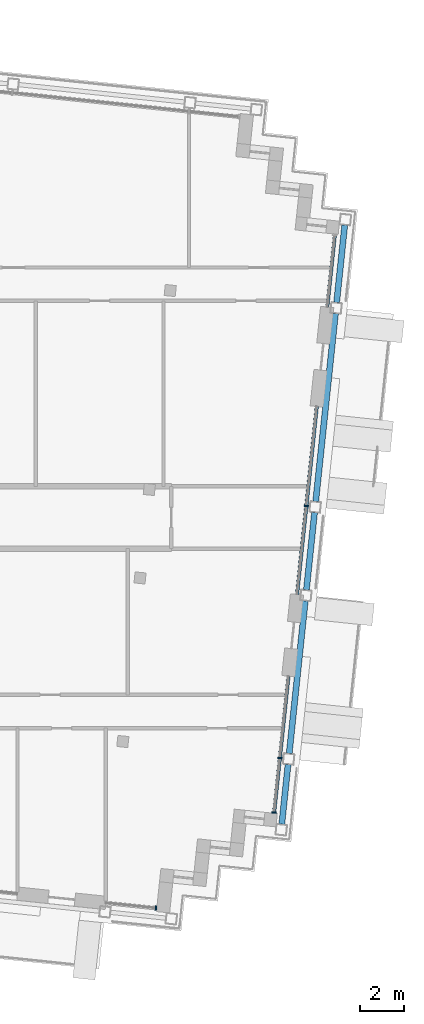
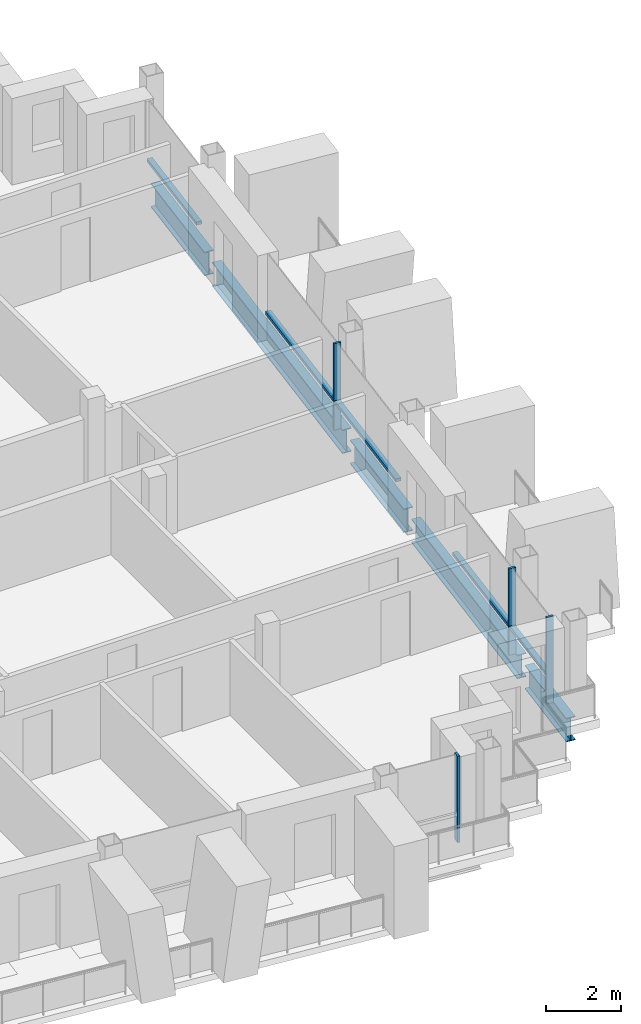
# One storey, part 4 of 16: 9 members, 5 beams, 4 elements without a shape of their own.
"""IFC4 building model written with IfcOpenShell, lengths in metres."""

from ifc_helpers import new_model, si_unit, direction, frame, origin, origin_2d, place, context, subcontext, project, spatial, rectangle, i_section, extrude, material, material_profile, profile_set, type_object, element, aggregate, save


model = new_model("IFC4")

# Units and contexts
model_context = context("Model", 3, precision=1e-05, world=origin(), true_north=direction((0.0, 1.0)))
body_context = subcontext(model_context, "Body", "Model", "MODEL_VIEW")
ifc_project = project(units=[si_unit("LENGTHUNIT", "METRE"), si_unit("AREAUNIT", "SQUARE_METRE"), si_unit("VOLUMEUNIT", "CUBIC_METRE"), si_unit("PLANEANGLEUNIT", "RADIAN"), si_unit("MASSUNIT", "GRAM", prefix="KILO")], contexts=[model_context])

# Site, building, storey
site_placement = place(None, origin())
site = spatial("IfcSite", under=ifc_project, at=site_placement, CompositionType="ELEMENT")
building_placement = place(site_placement, origin())
building = spatial("IfcBuilding", under=site, at=building_placement, Name="Vidyagriha Tower", CompositionType="ELEMENT")
storey_placement = place(building_placement, frame((0.0, 0.0, 278.699951171875)))
storey = spatial("IfcBuildingStorey", under=building, at=storey_placement, Name="L73", CompositionType="ELEMENT", Elevation=278.699951171875)

# Beams
ifc_material_1 = material(Name="Steel ASTM A992 Grade 50", Category="steel")
ifc_material_profile_1 = material_profile(ifc_material_1, i_section(OverallWidth=0.2666015625, OverallDepth=0.76953125, WebThickness=0.015625, FlangeThickness=0.025390625, at=origin_2d()), Name="W30X132")
ifc_profile_set_1 = profile_set([ifc_material_profile_1], Name="Steel ASTM A992 Grade 50")
beam_type = type_object("IfcBeamType", Name="Cantilever edge beam W30X132", PredefinedType="SPANDREL", material=ifc_profile_set_1)
beam_1_placement = place(storey_placement, frame((29.968017578125, -13.79736328125, -0.664794921875), z_axis=(0.104435320588, 0.994531680649, 0.0), x_axis=(-0.994531680649, 0.104435320588, 0.0)))
element("IfcBeam", 1, at=beam_1_placement, inside=storey, type_object=beam_type, Name="st-beam-L73-E13", PredefinedType="SPANDREL", context=body_context, shape_type="SweptSolid", body=[
    extrude(i_section(OverallWidth=0.2666015625, OverallDepth=0.76953125, WebThickness=0.015625, FlangeThickness=0.025390625, at=origin_2d()), origin(), (0.0, 0.0, 1.0), 2.699951171875),
])
beam_2_placement = place(storey_placement, frame((30.30224609375, -10.61474609375, -0.664794921875), z_axis=(0.104557694553, 0.994518822602, 0.0), x_axis=(-0.994518822602, 0.104557694553, 0.0)))
element("IfcBeam", 2, at=beam_2_placement, inside=storey, type_object=beam_type, Name="st-beam-L73-E14", PredefinedType="SPANDREL", context=body_context, shape_type="SweptSolid", body=[
    extrude(i_section(OverallWidth=0.2666015625, OverallDepth=0.76953125, WebThickness=0.015625, FlangeThickness=0.025390625, at=origin_2d()), origin(), (0.0, 0.0, 1.0), 6.89990234375),
])
beam_3_placement = place(storey_placement, frame((31.075927734375, -3.25537109375, -0.664794921875), z_axis=(0.104495960989, 0.994525310958, 0.0), x_axis=(-0.994525310958, 0.104495960989, 0.0)))
element("IfcBeam", 3, at=beam_3_placement, inside=storey, type_object=beam_type, Name="st-beam-L73-E15", PredefinedType="SPANDREL", context=body_context, shape_type="SweptSolid", body=[
    extrude(i_section(OverallWidth=0.2666015625, OverallDepth=0.76953125, WebThickness=0.015625, FlangeThickness=0.025390625, at=origin_2d()), origin(), (0.0, 0.0, 1.0), 3.499755859375),
])
beam_4_placement = place(storey_placement, frame((31.493896484375, 0.72265625, -0.664794921875), z_axis=(0.104550220202, 0.994519608382, 0.0), x_axis=(-0.994519608382, 0.104550220202, 0.0)))
element("IfcBeam", 4, at=beam_4_placement, inside=storey, type_object=beam_type, Name="st-beam-L73-E16", PredefinedType="SPANDREL", context=body_context, shape_type="SweptSolid", body=[
    extrude(i_section(OverallWidth=0.2666015625, OverallDepth=0.76953125, WebThickness=0.015625, FlangeThickness=0.025390625, at=origin_2d()), origin(), (0.0, 0.0, 1.0), 8.5),
])
beam_5_placement = place(storey_placement, frame((32.434814453125, 9.67333984375, -0.664794921875), z_axis=(0.104488712073, 0.994526072584, 0.0), x_axis=(-0.994526072584, 0.104488712073, 0.0)))
element("IfcBeam", 5, at=beam_5_placement, inside=storey, type_object=beam_type, Name="st-beam-L73-E17", PredefinedType="SPANDREL", context=body_context, shape_type="SweptSolid", body=[
    extrude(i_section(OverallWidth=0.2666015625, OverallDepth=0.76953125, WebThickness=0.015625, FlangeThickness=0.025390625, at=origin_2d()), origin(), (0.0, 0.0, 1.0), 3.5),
])

# Curtain wall, member
ifc_material_2 = material(Name="Aluminium and glass curtain wall", Category="aluminium")
curtain_wall_type = type_object("IfcCurtainWallType", Name="Dwelling skin unitised curtain wall", PredefinedType="USERDEFINED", material=ifc_material_2)
curtain_wall_1_placement = place(storey_placement, origin())
curtain_wall_1 = element("IfcCurtainWall", 6, at=curtain_wall_1_placement, inside=storey, type_object=curtain_wall_type, Name="CW1 dwelling skin", ObjectType="UNITISED", PredefinedType="USERDEFINED")
ifc_material_3 = material(Name="Aluminium black anodised", Category="aluminium")
ifc_material_profile_2 = material_profile(ifc_material_3, rectangle(XDim=0.199951171875, YDim=0.070068359375, at=origin_2d()), Name="Mullion 70x200 black aluminium")
ifc_profile_set_2 = profile_set([ifc_material_profile_2], Name="Aluminium black anodised")
member_type_1 = type_object("IfcMemberType", Name="Mullion 70x200 black aluminium", PredefinedType="MULLION", material=ifc_profile_set_2)
member_1_placement = place(storey_placement, frame((24.306884765625, -17.576171875, 0.0), z_axis=(0.0, 0.0, 1.0), x_axis=(0.10452182883, 0.994522592653, 0.0)))
member_1 = element("IfcMember", 7, at=member_1_placement, type_object=member_type_1, Name="CW1 mullion 2", PredefinedType="MULLION", context=body_context, shape_type="SweptSolid", body=[
    extrude(rectangle(XDim=0.199951171875, YDim=0.070068359375, at=origin_2d()), origin(), (0.0, 0.0, 1.0), 2.800048828125),
])
aggregate(curtain_wall_1, [member_1])

# Curtain wall, members
curtain_wall_2_placement = place(storey_placement, origin())
curtain_wall_2 = element("IfcCurtainWall", 8, at=curtain_wall_2_placement, inside=storey, type_object=curtain_wall_type, Name="CW1 dwelling skin", ObjectType="UNITISED", PredefinedType="USERDEFINED")
member_2_placement = place(storey_placement, frame((29.620849609375, -13.273193359375, 0.0), z_axis=(0.0, 0.0, 1.0), x_axis=(-0.994521437861, 0.10453281607, 0.0)))
member_2 = element("IfcMember", 9, at=member_2_placement, type_object=member_type_1, Name="CW1 mullion 1", PredefinedType="MULLION", context=body_context, shape_type="SweptSolid", body=[
    extrude(rectangle(XDim=0.199951171875, YDim=0.070068359375, at=origin_2d()), origin(), (0.0, 0.0, 1.0), 2.800048828125),
])
member_3_placement = place(storey_placement, frame((29.87841796875, -10.82177734375, 0.0), z_axis=(0.0, 0.0, 1.0), x_axis=(-0.994521437861, 0.10453281607, 0.0)))
member_3 = element("IfcMember", 10, at=member_3_placement, type_object=member_type_1, Name="CW1 mullion 2", PredefinedType="MULLION", context=body_context, shape_type="SweptSolid", body=[
    extrude(rectangle(XDim=0.199951171875, YDim=0.070068359375, at=origin_2d()), origin(), (0.0, 0.0, 1.0), 2.800048828125),
])

# Curtain wall, member
curtain_wall_3_placement = place(storey_placement, origin())
curtain_wall_3 = element("IfcCurtainWall", 11, at=curtain_wall_3_placement, inside=storey, type_object=curtain_wall_type, Name="CW1 dwelling skin", ObjectType="UNITISED", PredefinedType="USERDEFINED")
member_4_placement = place(storey_placement, frame((31.070068359375, 0.515869140625, 0.0), z_axis=(0.0, 0.0, 1.0), x_axis=(-0.994521750347, 0.104529843047, 0.0)))
member_4 = element("IfcMember", 12, at=member_4_placement, type_object=member_type_1, Name="CW1 mullion 2", PredefinedType="MULLION", context=body_context, shape_type="SweptSolid", body=[
    extrude(rectangle(XDim=0.199951171875, YDim=0.070068359375, at=origin_2d()), origin(), (0.0, 0.0, 1.0), 2.800048828125),
])

# Member
ifc_material_4 = material(Name="Aluminium black anodised", Category="aluminium")
ifc_material_profile_3 = material_profile(ifc_material_4, rectangle(XDim=0.159912109375, YDim=0.10009765625, at=origin_2d()), Name="Transom 100x160 black aluminium")
ifc_profile_set_3 = profile_set([ifc_material_profile_3], Name="Aluminium black anodised")
member_type_2 = type_object("IfcMemberType", Name="Transom 100x160 black aluminium", PredefinedType="USERDEFINED", material=ifc_profile_set_3)
member_5_placement = place(storey_placement, frame((29.62451171875, -13.23828125, 0.900146484375), z_axis=(0.104488443352, 0.994526100817, 0.0), x_axis=(-0.994526100817, 0.104488443352, 0.0)))
member_5 = element("IfcMember", 13, at=member_5_placement, type_object=member_type_2, Name="CW1 transom 1.1", ObjectType="TRANSOM", PredefinedType="USERDEFINED", context=body_context, shape_type="SweptSolid", body=[
    extrude(rectangle(XDim=0.159912109375, YDim=0.10009765625, at=origin_2d()), origin(), (0.0, 0.0, 1.0), 2.39501953125),
])

member_6_placement = place(storey_placement, frame((29.882080078125, -10.786865234375, 0.900146484375), z_axis=(0.104521800028, 0.99452259568, 0.0), x_axis=(-0.99452259568, 0.104521800028, 0.0)))
member_6 = element("IfcMember", 14, at=member_6_placement, type_object=member_type_2, Name="CW1 transom 2.1", ObjectType="TRANSOM", PredefinedType="USERDEFINED", context=body_context, shape_type="SweptSolid", body=[
    extrude(rectangle(XDim=0.159912109375, YDim=0.10009765625, at=origin_2d()), origin(), (0.0, 0.0, 1.0), 3.664794921875),
])

aggregate(curtain_wall_2, [member_2, member_3, member_5, member_6])

member_7_placement = place(storey_placement, frame((30.65185546875, -3.462158203125, 0.900146484375), z_axis=(0.104550167438, 0.994519613929, 0.0), x_axis=(-0.994519613929, 0.104550167438, 0.0)))
member_7 = element("IfcMember", 15, at=member_7_placement, type_object=member_type_2, Name="CW1 transom 1.1", ObjectType="TRANSOM", PredefinedType="USERDEFINED", context=body_context, shape_type="SweptSolid", body=[
    extrude(rectangle(XDim=0.159912109375, YDim=0.10009765625, at=origin_2d()), origin(), (0.0, 0.0, 1.0), 3.965087890625),
])

member_8_placement = place(storey_placement, frame((31.07373046875, 0.55078125, 0.900146484375), z_axis=(0.104494075643, 0.994525509052, 0.0), x_axis=(-0.994525509052, 0.104494075643, 0.0)))
member_8 = element("IfcMember", 16, at=member_8_placement, type_object=member_type_2, Name="CW1 transom 2.1", ObjectType="TRANSOM", PredefinedType="USERDEFINED", context=body_context, shape_type="SweptSolid", body=[
    extrude(rectangle(XDim=0.159912109375, YDim=0.10009765625, at=origin_2d()), origin(), (0.0, 0.0, 1.0), 4.46484375),
])

aggregate(curtain_wall_3, [member_4, member_7, member_8])

# Curtain wall, member
curtain_wall_4_placement = place(storey_placement, origin())
curtain_wall_4 = element("IfcCurtainWall", 17, at=curtain_wall_4_placement, inside=storey, type_object=curtain_wall_type, Name="CW1 dwelling skin", ObjectType="UNITISED", PredefinedType="USERDEFINED")
member_9_placement = place(storey_placement, frame((32.0107421875, 9.466552734375, 0.900146484375), z_axis=(0.104531339354, 0.994521593075, 0.0), x_axis=(-0.994521593075, 0.104531339354, 0.0)))
member_9 = element("IfcMember", 18, at=member_9_placement, type_object=member_type_2, Name="CW1 transom 1.1", ObjectType="TRANSOM", PredefinedType="USERDEFINED", context=body_context, shape_type="SweptSolid", body=[
    extrude(rectangle(XDim=0.159912109375, YDim=0.10009765625, at=origin_2d()), origin(), (0.0, 0.0, 1.0), 3.22998046875),
])
aggregate(curtain_wall_4, [member_9])

save(model, "model.ifc")
